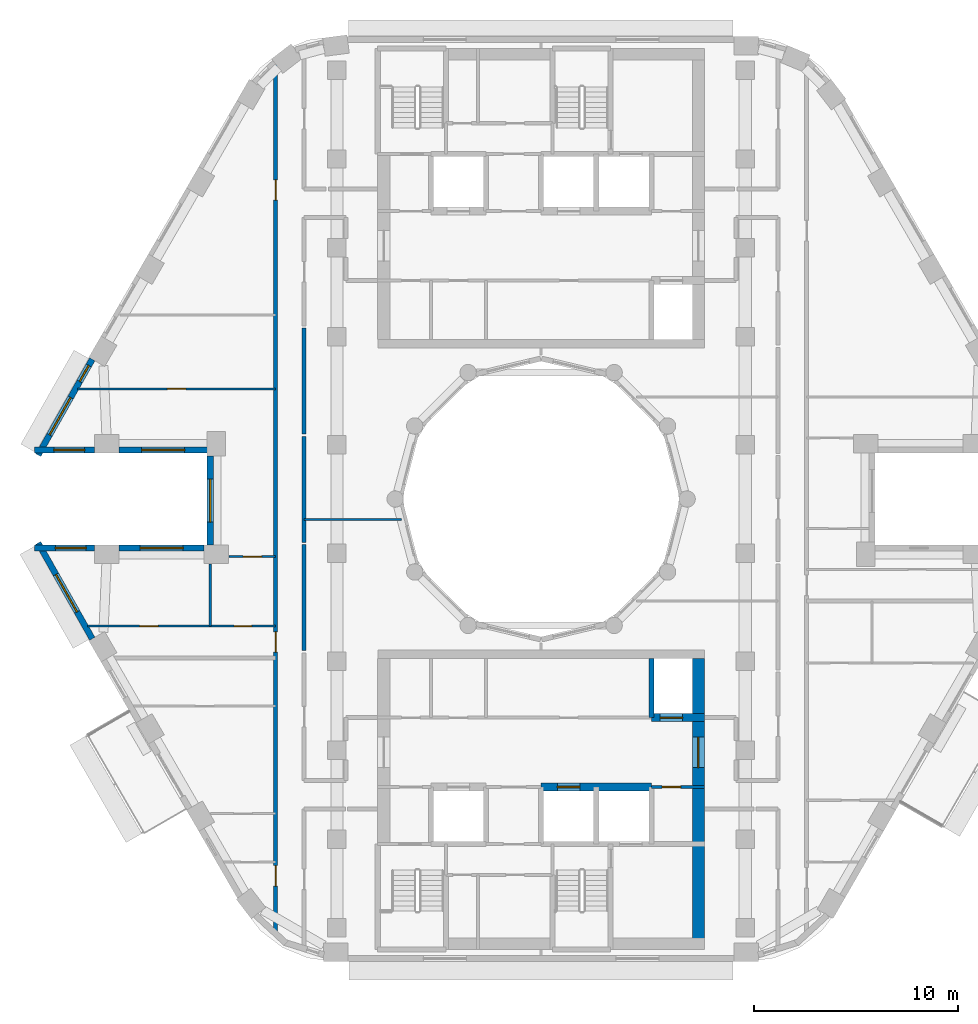
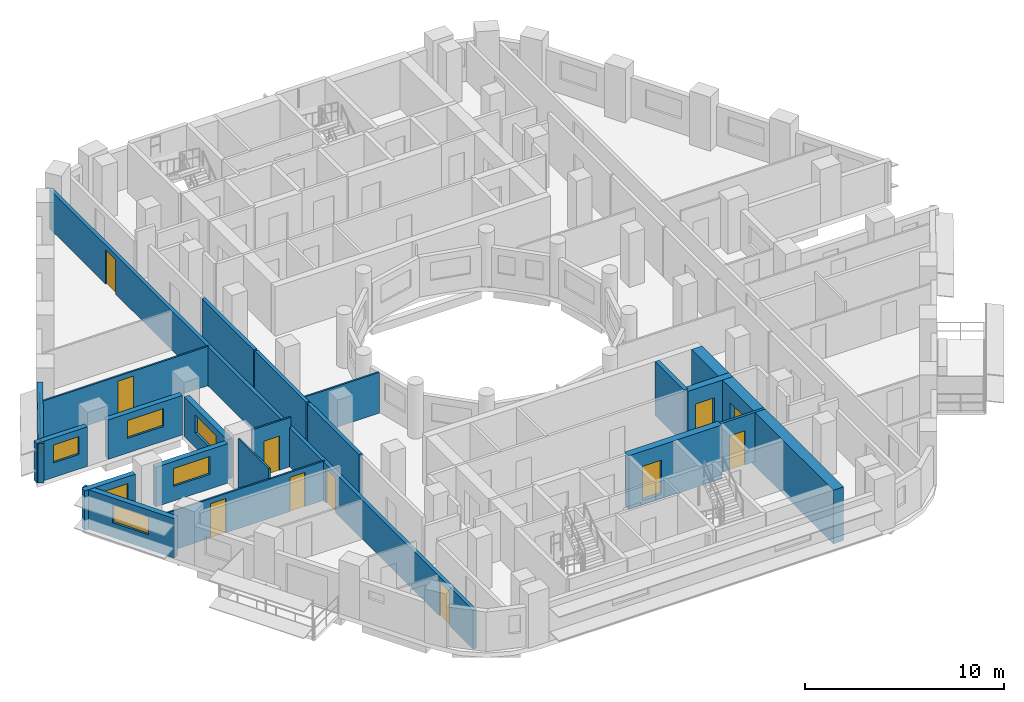
# One storey, part 4 of 15: 21 walls, 11 doors, 8 windows, 19 openings.
"""IFC4 building model written with IfcOpenShell, lengths in metres."""

from ifc_helpers import new_model, si_unit, direction, frame, frame_2d, origin, place, context, subcontext, project, spatial, rectangle, extrude, material, layer, layer_set, type_object, element, fill, save


model = new_model("IFC4")

# Units and contexts
model_context = context("Model", 3, precision=1e-05, world=origin(), true_north=direction((0.0, 1.0)))
body_context = subcontext(model_context, "Body", "Model", "MODEL_VIEW")
ifc_project = project(units=[si_unit("LENGTHUNIT", "METRE"), si_unit("AREAUNIT", "SQUARE_METRE"), si_unit("VOLUMEUNIT", "CUBIC_METRE"), si_unit("PLANEANGLEUNIT", "RADIAN"), si_unit("MASSUNIT", "GRAM", prefix="KILO")], contexts=[model_context])

# Site, building, storey
site_placement = place(None, origin())
site = spatial("IfcSite", under=ifc_project, at=site_placement, CompositionType="ELEMENT")
building_placement = place(site_placement, origin())
building = spatial("IfcBuilding", under=site, at=building_placement, Name="Nakaniwa Court", CompositionType="ELEMENT")
storey_placement = place(building_placement, frame((0.0, 0.0, 189.89990234375)))
storey = spatial("IfcBuildingStorey", under=building, at=storey_placement, Name="L49", CompositionType="ELEMENT", Elevation=189.89990234375)

# Walls
ifc_material_1 = material(Name="Acoustic double stud partition")
ifc_layer_1 = layer(ifc_material_1, 0.199951171875)
ifc_layer_set_1 = layer_set([ifc_layer_1], Name="Acoustic double stud partition")
wall_type_1 = type_object("IfcWallType", Name="Acoustic double stud partition 200", PredefinedType="PARTITIONING", material=ifc_layer_set_1)
for number, where, z_axis, x_axis, name in (
    (1, (68.39990234375, 72.5771484375, 0.0), (0.0, 0.0, 1.0), (0.0, 1.0, 0.0), "Partition PW-097"),
    (2, (68.39990234375, 77.877197265625, 0.0), (0.0, 0.0, 1.0), (0.0, 1.0, 0.0), "Partition PW-098"),
    (3, (68.39990234375, 83.17724609375, 0.0), (0.0, 0.0, 1.0), (0.0, 1.0, 0.0), "Partition PW-099"),
):
    element("IfcWall", number, at=place(storey_placement, frame(where, z_axis=z_axis, x_axis=x_axis)), inside=storey, type_object=wall_type_1, Name=name, PredefinedType="PARTITIONING", context=body_context, shape_type="SweptSolid", body=[
        extrude(rectangle(XDim=5.185546875, YDim=0.199951171875, at=frame_2d((2.5927734375, 0.0))), origin(), (0.0, 0.0, 1.0), 3.025146484375),
    ])

# Wall, openings, doors
wall_1_placement = place(storey_placement, frame((67.0, 58.67431640625, 0.0), z_axis=(0.0, 0.0, 1.0), x_axis=(0.0, 1.0, 0.0)))
wall_1 = element("IfcWall", 4, at=wall_1_placement, inside=storey, type_object=wall_type_1, Name="Partition PW-102", PredefinedType="PARTITIONING", context=body_context, shape_type="SweptSolid", body=[
    extrude(rectangle(XDim=42.591796875, YDim=0.199951171875, at=frame_2d((21.2958984375, 0.0))), origin(), (0.0, 0.0, 1.0), 2.405029296875),
])
opening_1_placement = place(wall_1_placement, frame((2.3759765625, 0.0, 0.0)))
opening_1 = element("IfcOpeningElement", 5, at=opening_1_placement, cuts=wall_1, Name="Opening D-01-03", PredefinedType="OPENING", context=body_context, shape_type="SweptSolid", body=[
    extrude(rectangle(XDim=1.0, YDim=2.10009765625, at=frame_2d((0.5, 1.050048828125))), frame((0.0, 0.10986328125, 0.0), z_axis=(0.0, -1.0, 0.0), x_axis=(1.0, 0.0, 0.0)), (0.0, 0.0, 1.0), 0.219970703125),
])
opening_2_placement = place(wall_1_placement, frame((13.825927734375, 0.0, 0.0)))
opening_2 = element("IfcOpeningElement", 6, at=opening_2_placement, cuts=wall_1, Name="Opening D-01-04", PredefinedType="OPENING", context=body_context, shape_type="SweptSolid", body=[
    extrude(rectangle(XDim=1.0, YDim=2.10009765625, at=frame_2d((0.5, 1.050048828125))), frame((0.0, 0.10986328125, 0.0), z_axis=(0.0, -1.0, 0.0), x_axis=(1.0, 0.0, 0.0)), (0.0, 0.0, 1.0), 0.219970703125),
])
opening_3_placement = place(wall_1_placement, frame((35.95703125, 0.0, 0.0)))
opening_3 = element("IfcOpeningElement", 7, at=opening_3_placement, cuts=wall_1, Name="Opening D-02-10", PredefinedType="OPENING", context=body_context, shape_type="SweptSolid", body=[
    extrude(rectangle(XDim=1.0, YDim=2.10009765625, at=frame_2d((0.5, 1.050048828125))), frame((0.0, 0.10986328125, 0.0), z_axis=(0.0, -1.0, 0.0), x_axis=(1.0, 0.0, 0.0)), (0.0, 0.0, 1.0), 0.219970703125),
])
ifc_material_2 = material(Name="Solid core timber door set, black veneer", Category="wood")
door_type_1 = type_object("IfcDoorType", Name="Flat entrance door 1000", OperationType="NOTDEFINED", PredefinedType="DOOR", material=ifc_material_2)
door_1_placement = place(opening_1_placement, origin())
door_1 = element("IfcDoor", 8, at=door_1_placement, inside=storey, type_object=door_type_1, Name="Door D-01-03 L49-037", OperationType="SINGLE_SWING_RIGHT", OverallHeight=2.10009765625, OverallWidth=1.0, PredefinedType="DOOR", context=body_context, shape_type="SweptSolid", body=[
    extrude(rectangle(XDim=1.0, YDim=2.10009765625, at=frame_2d((0.5, 1.050048828125))), frame((0.0, 0.02490234375, 0.0), z_axis=(0.0, -1.0, 0.0), x_axis=(1.0, 0.0, 0.0)), (0.0, 0.0, 1.0), 0.050048828125),
])
fill(opening_1, door_1)
door_2_placement = place(opening_2_placement, origin())
door_2 = element("IfcDoor", 9, at=door_2_placement, inside=storey, type_object=door_type_1, Name="Door D-01-04 L49-042", OperationType="SINGLE_SWING_LEFT", OverallHeight=2.10009765625, OverallWidth=1.0, PredefinedType="DOOR", context=body_context, shape_type="SweptSolid", body=[
    extrude(rectangle(XDim=1.0, YDim=2.10009765625, at=frame_2d((0.5, 1.050048828125))), frame((0.0, 0.02490234375, 0.0), z_axis=(0.0, -1.0, 0.0), x_axis=(1.0, 0.0, 0.0)), (0.0, 0.0, 1.0), 0.050048828125),
])
fill(opening_2, door_2)
door_type_2 = type_object("IfcDoorType", Name="Internal door 1000", OperationType="NOTDEFINED", PredefinedType="DOOR", material=ifc_material_2)
door_3_placement = place(opening_3_placement, origin())
door_3 = element("IfcDoor", 10, at=door_3_placement, inside=storey, type_object=door_type_2, Name="Door D-02-10 L49-050", OperationType="SINGLE_SWING_LEFT", OverallHeight=2.10009765625, OverallWidth=1.0, PredefinedType="DOOR", context=body_context, shape_type="SweptSolid", body=[
    extrude(rectangle(XDim=1.0, YDim=2.10009765625, at=frame_2d((0.5, 1.050048828125))), frame((0.0, 0.02490234375, 0.0), z_axis=(0.0, -1.0, 0.0), x_axis=(1.0, 0.0, 0.0)), (0.0, 0.0, 1.0), 0.050048828125),
])
fill(opening_3, door_3)

# Wall, openings, windows
ifc_material_3 = material(Name="Charcoal ceramic cladding")
ifc_layer_2 = layer(ifc_material_3, 0.02, Name="Ceramic cladding")
ifc_material_4 = material(Name="Ventilated air cavity")
ifc_layer_3 = layer(ifc_material_4, 0.04, ventilated=True, Name="Ventilated cavity")
ifc_material_5 = material(Name="Mineral wool insulation")
ifc_layer_4 = layer(ifc_material_5, 0.1, Name="Insulation")
ifc_material_6 = material(Name="Cement bonded sheathing board")
ifc_layer_5 = layer(ifc_material_6, 0.012, Name="Sheathing")
ifc_material_7 = material(Name="Cold-formed galvanised stud frame with mineral wool infill")
ifc_layer_6 = layer(ifc_material_7, 0.1, Name="Stud frame")
ifc_material_8 = material(Name="Fire-rated gypsum plasterboard lining")
ifc_layer_7 = layer(ifc_material_8, 0.028, Name="Lining")
ifc_layer_set_2 = layer_set([ifc_layer_2, ifc_layer_3, ifc_layer_4, ifc_layer_5, ifc_layer_6, ifc_layer_7], Name="Charcoal ceramic faced external wall system")
wall_type_2 = type_object("IfcWallType", Name="Black ceramic faced external wall 300", PredefinedType="SOLIDWALL", material=ifc_layer_set_2)
wall_2_placement = place(storey_placement, frame((58.023193359375, 86.843017578125, 0.0), z_axis=(0.0, 0.0, 1.0), x_axis=(-0.492033360928, -0.870576344575, 0.0)))
wall_2 = element("IfcWall", 11, at=wall_2_placement, inside=storey, type_object=wall_type_2, Name="L49 external wall 14", PredefinedType="SOLIDWALL", context=body_context, shape_type="SweptSolid", body=[
    extrude(rectangle(XDim=5.38671875, YDim=0.300048828125, at=frame_2d((2.693359375, 0.0))), origin(), (0.0, 0.0, 1.0), 2.425048828125),
])
opening_4_placement = place(wall_2_placement, frame((0.346923828125, 0.0, 0.89990234375)))
opening_4 = element("IfcOpeningElement", 12, at=opening_4_placement, cuts=wall_2, Name="Opening W9.16", PredefinedType="OPENING", context=body_context, shape_type="SweptSolid", body=[
    extrude(rectangle(XDim=0.89990234375, YDim=1.10009765625, at=frame_2d((0.449951171875, 0.550048828125))), frame((0.0, 0.159912109375, 0.0), z_axis=(0.0, -1.0, 0.0), x_axis=(1.0, 0.0, 0.0)), (0.0, 0.0, 1.0), 0.320068359375),
])
opening_5_placement = place(wall_2_placement, frame((2.15185546875, 0.0, 0.89990234375)))
opening_5 = element("IfcOpeningElement", 13, at=opening_5_placement, cuts=wall_2, Name="Opening W7.17", PredefinedType="OPENING", context=body_context, shape_type="SweptSolid", body=[
    extrude(rectangle(XDim=2.10009765625, YDim=1.10009765625, at=frame_2d((1.050048828125, 0.550048828125))), frame((0.0, 0.159912109375, 0.0), z_axis=(0.0, -1.0, 0.0), x_axis=(1.0, 0.0, 0.0)), (0.0, 0.0, 1.0), 0.320068359375),
])
ifc_material_9 = material(Name="Black anodised aluminium frame with dark low-E laminated double glazing", Category="aluminium")
window_type_1 = type_object("IfcWindowType", Name="Dark glass window 2100x1100 sill 900", PartitioningType="SINGLE_PANEL", PredefinedType="WINDOW", material=ifc_material_9)
window_1_placement = place(opening_5_placement, origin())
window_1 = element("IfcWindow", 14, at=window_1_placement, inside=storey, type_object=window_type_1, Name="L49 living window 14-1", OverallHeight=1.10009765625, OverallWidth=2.10009765625, PartitioningType="SINGLE_PANEL", PredefinedType="WINDOW", context=body_context, shape_type="SweptSolid", body=[
    extrude(rectangle(XDim=2.10009765625, YDim=1.10009765625, at=frame_2d((1.050048828125, 0.550048828125))), frame((0.0, 0.030029296875, 0.0), z_axis=(0.0, -1.0, 0.0), x_axis=(1.0, 0.0, 0.0)), (0.0, 0.0, 1.0), 0.06005859375),
])
fill(opening_5, window_1)
window_type_2 = type_object("IfcWindowType", Name="Dark glass window 900x1100 sill 900", PartitioningType="SINGLE_PANEL", PredefinedType="WINDOW", material=ifc_material_9)
window_2_placement = place(opening_4_placement, origin())
window_2 = element("IfcWindow", 15, at=window_2_placement, inside=storey, type_object=window_type_2, Name="L49 habitable room window 14-0", OverallHeight=1.10009765625, OverallWidth=0.89990234375, PartitioningType="SINGLE_PANEL", PredefinedType="WINDOW", context=body_context, shape_type="SweptSolid", body=[
    extrude(rectangle(XDim=0.89990234375, YDim=1.10009765625, at=frame_2d((0.449951171875, 0.550048828125))), frame((0.0, 0.030029296875, 0.0), z_axis=(0.0, -1.0, 0.0), x_axis=(1.0, 0.0, 0.0)), (0.0, 0.0, 1.0), 0.06005859375),
])
fill(opening_4, window_2)

# Wall, opening, window
wall_3_placement = place(storey_placement, frame((55.2021484375, 82.39990234375, 0.0), z_axis=(0.0, 0.0, 1.0), x_axis=(1.0, 0.0, 0.0)))
wall_3 = element("IfcWall", 16, at=wall_3_placement, inside=storey, type_object=wall_type_2, Name="L49 external wall 15", PredefinedType="SOLIDWALL", context=body_context, shape_type="SweptSolid", body=[
    extrude(rectangle(XDim=2.937744140625, YDim=0.300048828125, at=frame_2d((1.46875, 0.0))), origin(), (0.0, 0.0, 1.0), 2.425048828125),
])
opening_6_placement = place(wall_3_placement, frame((0.944091796875, 0.0, 0.89990234375)))
opening_6 = element("IfcOpeningElement", 17, at=opening_6_placement, cuts=wall_3, Name="Opening W5.18", PredefinedType="OPENING", context=body_context, shape_type="SweptSolid", body=[
    extrude(rectangle(XDim=1.5, YDim=1.10009765625, at=frame_2d((0.75, 0.550048828125))), frame((0.0, 0.159912109375, 0.0), z_axis=(0.0, -1.0, 0.0), x_axis=(1.0, 0.0, 0.0)), (0.0, 0.0, 1.0), 0.320068359375),
])
window_type_3 = type_object("IfcWindowType", Name="Dark glass window 1500x1100 sill 900", PartitioningType="SINGLE_PANEL", PredefinedType="WINDOW", material=ifc_material_9)
window_3_placement = place(opening_6_placement, origin())
window_3 = element("IfcWindow", 18, at=window_3_placement, inside=storey, type_object=window_type_3, Name="L49 living window 15-0", OverallHeight=1.10009765625, OverallWidth=1.5, PartitioningType="SINGLE_PANEL", PredefinedType="WINDOW", context=body_context, shape_type="SweptSolid", body=[
    extrude(rectangle(XDim=1.5, YDim=1.10009765625, at=frame_2d((0.75, 0.550048828125))), frame((0.0, 0.030029296875, 0.0), z_axis=(0.0, -1.0, 0.0), x_axis=(1.0, 0.0, 0.0)), (0.0, 0.0, 1.0), 0.06005859375),
])
fill(opening_6, window_3)

wall_4_placement = place(storey_placement, frame((59.33203125, 82.39990234375, 0.0), z_axis=(0.0, 0.0, 1.0), x_axis=(1.0, 0.0, 0.0)))
wall_4 = element("IfcWall", 19, at=wall_4_placement, inside=storey, type_object=wall_type_2, Name="L49 external wall 16", PredefinedType="SOLIDWALL", context=body_context, shape_type="SweptSolid", body=[
    extrude(rectangle(XDim=4.322509765625, YDim=0.300048828125, at=frame_2d((2.1611328125, 0.0))), origin(), (0.0, 0.0, 1.0), 2.425048828125),
])
opening_7_placement = place(wall_4_placement, frame((1.111083984375, 0.0, 0.89990234375)))
opening_7 = element("IfcOpeningElement", 20, at=opening_7_placement, cuts=wall_4, Name="Opening W7.19", PredefinedType="OPENING", context=body_context, shape_type="SweptSolid", body=[
    extrude(rectangle(XDim=2.10009765625, YDim=1.10009765625, at=frame_2d((1.050048828125, 0.550048828125))), frame((0.0, 0.159912109375, 0.0), z_axis=(0.0, -1.0, 0.0), x_axis=(1.0, 0.0, 0.0)), (0.0, 0.0, 1.0), 0.320068359375),
])
window_4_placement = place(opening_7_placement, origin())
window_4 = element("IfcWindow", 21, at=window_4_placement, inside=storey, type_object=window_type_1, Name="L49 living window 16-0", OverallHeight=1.10009765625, OverallWidth=2.10009765625, PartitioningType="SINGLE_PANEL", PredefinedType="WINDOW", context=body_context, shape_type="SweptSolid", body=[
    extrude(rectangle(XDim=2.10009765625, YDim=1.10009765625, at=frame_2d((1.050048828125, 0.550048828125))), frame((0.0, 0.030029296875, 0.0), z_axis=(0.0, -1.0, 0.0), x_axis=(1.0, 0.0, 0.0)), (0.0, 0.0, 1.0), 0.06005859375),
])
fill(opening_7, window_4)

wall_5_placement = place(storey_placement, frame((63.800537109375, 82.10400390625, 0.0), z_axis=(0.0, 0.0, 1.0), x_axis=(0.0, -1.0, 0.0)))
wall_5 = element("IfcWall", 22, at=wall_5_placement, inside=storey, type_object=wall_type_2, Name="L49 external wall 17", PredefinedType="SOLIDWALL", context=body_context, shape_type="SweptSolid", body=[
    extrude(rectangle(XDim=4.35791015625, YDim=0.300048828125, at=frame_2d((2.178955078125, 0.0))), origin(), (0.0, 0.0, 1.0), 2.425048828125),
])
opening_8_placement = place(wall_5_placement, frame((1.12890625, 0.0, 0.89990234375)))
opening_8 = element("IfcOpeningElement", 23, at=opening_8_placement, cuts=wall_5, Name="Opening W7.20", PredefinedType="OPENING", context=body_context, shape_type="SweptSolid", body=[
    extrude(rectangle(XDim=2.10009765625, YDim=1.10009765625, at=frame_2d((1.050048828125, 0.550048828125))), frame((0.0, 0.159912109375, 0.0), z_axis=(0.0, -1.0, 0.0), x_axis=(1.0, 0.0, 0.0)), (0.0, 0.0, 1.0), 0.320068359375),
])
window_5_placement = place(opening_8_placement, origin())
window_5 = element("IfcWindow", 24, at=window_5_placement, inside=storey, type_object=window_type_1, Name="L49 living window 17-0", OverallHeight=1.10009765625, OverallWidth=2.10009765625, PartitioningType="SINGLE_PANEL", PredefinedType="WINDOW", context=body_context, shape_type="SweptSolid", body=[
    extrude(rectangle(XDim=2.10009765625, YDim=1.10009765625, at=frame_2d((1.050048828125, 0.550048828125))), frame((0.0, 0.030029296875, 0.0), z_axis=(0.0, -1.0, 0.0), x_axis=(1.0, 0.0, 0.0)), (0.0, 0.0, 1.0), 0.06005859375),
])
fill(opening_8, window_5)

wall_6_placement = place(storey_placement, frame((63.50439453125, 77.60009765625, 0.0), z_axis=(0.0, 0.0, 1.0), x_axis=(-1.0, 0.0, 0.0)))
wall_6 = element("IfcWall", 25, at=wall_6_placement, inside=storey, type_object=wall_type_2, Name="L49 external wall 18", PredefinedType="SOLIDWALL", context=body_context, shape_type="SweptSolid", body=[
    extrude(rectangle(XDim=4.17236328125, YDim=0.300048828125, at=frame_2d((2.086181640625, 0.0))), origin(), (0.0, 0.0, 1.0), 2.425048828125),
])
opening_9_placement = place(wall_6_placement, frame((1.036376953125, 0.0, 0.89990234375)))
opening_9 = element("IfcOpeningElement", 26, at=opening_9_placement, cuts=wall_6, Name="Opening W7.21", PredefinedType="OPENING", context=body_context, shape_type="SweptSolid", body=[
    extrude(rectangle(XDim=2.10009765625, YDim=1.10009765625, at=frame_2d((1.050048828125, 0.550048828125))), frame((0.0, 0.159912109375, 0.0), z_axis=(0.0, -1.0, 0.0), x_axis=(1.0, 0.0, 0.0)), (0.0, 0.0, 1.0), 0.320068359375),
])
window_6_placement = place(opening_9_placement, origin())
window_6 = element("IfcWindow", 27, at=window_6_placement, inside=storey, type_object=window_type_1, Name="L49 habitable room window 18-0", OverallHeight=1.10009765625, OverallWidth=2.10009765625, PartitioningType="SINGLE_PANEL", PredefinedType="WINDOW", context=body_context, shape_type="SweptSolid", body=[
    extrude(rectangle(XDim=2.10009765625, YDim=1.10009765625, at=frame_2d((1.050048828125, 0.550048828125))), frame((0.0, 0.030029296875, 0.0), z_axis=(0.0, -1.0, 0.0), x_axis=(1.0, 0.0, 0.0)), (0.0, 0.0, 1.0), 0.06005859375),
])
fill(opening_9, window_6)

wall_7_placement = place(storey_placement, frame((58.139892578125, 77.60009765625, 0.0), z_axis=(0.0, 0.0, 1.0), x_axis=(-1.0, 0.0, 0.0)))
wall_7 = element("IfcWall", 28, at=wall_7_placement, inside=storey, type_object=wall_type_2, Name="L49 external wall 19", PredefinedType="SOLIDWALL", context=body_context, shape_type="SweptSolid", body=[
    extrude(rectangle(XDim=2.937744140625, YDim=0.300048828125, at=frame_2d((1.46875, 0.0))), origin(), (0.0, 0.0, 1.0), 2.425048828125),
])
opening_10_placement = place(wall_7_placement, frame((0.42041015625, 0.0, 0.89990234375)))
opening_10 = element("IfcOpeningElement", 29, at=opening_10_placement, cuts=wall_7, Name="Opening W5.22", PredefinedType="OPENING", context=body_context, shape_type="SweptSolid", body=[
    extrude(rectangle(XDim=1.5, YDim=1.10009765625, at=frame_2d((0.75, 0.550048828125))), frame((0.0, 0.159912109375, 0.0), z_axis=(0.0, -1.0, 0.0), x_axis=(1.0, 0.0, 0.0)), (0.0, 0.0, 1.0), 0.320068359375),
])
window_7_placement = place(opening_10_placement, origin())
window_7 = element("IfcWindow", 30, at=window_7_placement, inside=storey, type_object=window_type_3, Name="L49 habitable room window 19-0", OverallHeight=1.10009765625, OverallWidth=1.5, PartitioningType="SINGLE_PANEL", PredefinedType="WINDOW", context=body_context, shape_type="SweptSolid", body=[
    extrude(rectangle(XDim=1.5, YDim=1.10009765625, at=frame_2d((0.75, 0.550048828125))), frame((0.0, 0.030029296875, 0.0), z_axis=(0.0, -1.0, 0.0), x_axis=(1.0, 0.0, 0.0)), (0.0, 0.0, 1.0), 0.06005859375),
])
fill(opening_10, window_7)

wall_8_placement = place(storey_placement, frame((55.372802734375, 77.846435546875, 0.0), z_axis=(0.0, 0.0, 1.0), x_axis=(0.492033360928, -0.870576344575, 0.0)))
wall_8 = element("IfcWall", 31, at=wall_8_placement, inside=storey, type_object=wall_type_2, Name="L49 external wall 20", PredefinedType="SOLIDWALL", context=body_context, shape_type="SweptSolid", body=[
    extrude(rectangle(XDim=5.38671875, YDim=0.300048828125, at=frame_2d((2.693359375, 0.0))), origin(), (0.0, 0.0, 1.0), 2.425048828125),
])
opening_11_placement = place(wall_8_placement, frame((1.77001953125, 0.0, 0.89990234375)))
opening_11 = element("IfcOpeningElement", 32, at=opening_11_placement, cuts=wall_8, Name="Opening W7.23", PredefinedType="OPENING", context=body_context, shape_type="SweptSolid", body=[
    extrude(rectangle(XDim=2.10009765625, YDim=1.10009765625, at=frame_2d((1.050048828125, 0.550048828125))), frame((0.0, 0.159912109375, 0.0), z_axis=(0.0, -1.0, 0.0), x_axis=(1.0, 0.0, 0.0)), (0.0, 0.0, 1.0), 0.320068359375),
])
window_8_placement = place(opening_11_placement, origin())
window_8 = element("IfcWindow", 33, at=window_8_placement, inside=storey, type_object=window_type_1, Name="L49 habitable room window 20-0", OverallHeight=1.10009765625, OverallWidth=2.10009765625, PartitioningType="SINGLE_PANEL", PredefinedType="WINDOW", context=body_context, shape_type="SweptSolid", body=[
    extrude(rectangle(XDim=2.10009765625, YDim=1.10009765625, at=frame_2d((1.050048828125, 0.550048828125))), frame((0.0, 0.030029296875, 0.0), z_axis=(0.0, -1.0, 0.0), x_axis=(1.0, 0.0, 0.0)), (0.0, 0.0, 1.0), 0.06005859375),
])
fill(opening_11, window_8)

# Wall, opening, door
ifc_material_10 = material(Name="Blockwork partition", Category="masonry")
ifc_layer_8 = layer(ifc_material_10, 0.14990234375)
ifc_layer_set_3 = layer_set([ifc_layer_8], Name="Blockwork partition")
wall_type_3 = type_object("IfcWallType", Name="Blockwork partition 150", PredefinedType="PARTITIONING", material=ifc_layer_set_3)
wall_9_placement = place(storey_placement, frame((88.0, 65.89990234375, 0.0), z_axis=(0.0, 0.0, 1.0), x_axis=(-1.0, 0.0, 0.0)))
wall_9 = element("IfcWall", 34, at=wall_9_placement, inside=storey, type_object=wall_type_3, Name="Partition PW-044", PredefinedType="PARTITIONING", context=body_context, shape_type="SweptSolid", body=[
    extrude(rectangle(XDim=2.60302734375, YDim=0.14990234375, at=frame_2d((1.301513671875, 0.0))), origin(), (0.0, 0.0, 1.0), 3.025146484375),
])
opening_12_placement = place(wall_9_placement, frame((1.175048828125, 0.0, 0.0)))
opening_12 = element("IfcOpeningElement", 35, at=opening_12_placement, cuts=wall_9, Name="Opening D-05-10", PredefinedType="OPENING", context=body_context, shape_type="SweptSolid", body=[
    extrude(rectangle(XDim=0.89990234375, YDim=2.10009765625, at=frame_2d((0.449951171875, 1.050048828125))), frame((0.0, 0.0849609375, 0.0), z_axis=(0.0, -1.0, 0.0), x_axis=(1.0, 0.0, 0.0)), (0.0, 0.0, 1.0), 0.169921875),
])
ifc_material_11 = material(Name="Fire rated steel door set", Category="steel")
door_type_3 = type_object("IfcDoorType", Name="Service room door 900", OperationType="NOTDEFINED", PredefinedType="DOOR", material=ifc_material_11)
door_4_placement = place(opening_12_placement, origin())
door_4 = element("IfcDoor", 36, at=door_4_placement, inside=storey, type_object=door_type_3, Name="Door D-05-10 L49-017", OperationType="SINGLE_SWING_RIGHT", OverallHeight=2.10009765625, OverallWidth=0.89990234375, PredefinedType="DOOR", context=body_context, shape_type="SweptSolid", body=[
    extrude(rectangle(XDim=0.89990234375, YDim=2.10009765625, at=frame_2d((0.449951171875, 1.050048828125))), frame((0.0, 0.02490234375, 0.0), z_axis=(0.0, -1.0, 0.0), x_axis=(1.0, 0.0, 0.0)), (0.0, 0.0, 1.0), 0.050048828125),
])
fill(opening_12, door_4)

ifc_material_12 = material(Name="Concrete C80/100", Category="concrete")
ifc_layer_9 = layer(ifc_material_12, 0.60009765625)
ifc_layer_set_4 = layer_set([ifc_layer_9], Name="Concrete C80/100")
wall_type_4 = type_object("IfcWallType", Name="Concrete core side wall 600 C80", PredefinedType="SHEAR", material=ifc_layer_set_4)
wall_10_placement = place(storey_placement, frame((87.699951171875, 72.199951171875, -0.27490234375), z_axis=(0.0, 0.0, 1.0), x_axis=(0.0, -1.0, 0.0)))
wall_10 = element("IfcWall", 37, at=wall_10_placement, inside=storey, type_object=wall_type_4, Name="Core wall SW-40", PredefinedType="SHEAR", context=body_context, shape_type="SweptSolid", body=[
    extrude(rectangle(XDim=14.25, YDim=0.60009765625, at=frame_2d((7.125, 0.0))), origin(), (0.0, 0.0, 1.0), 3.300048828125),
])
opening_13_placement = place(wall_10_placement, frame((3.85205078125, 0.0, 0.27490234375)))
opening_13 = element("IfcOpeningElement", 38, at=opening_13_placement, cuts=wall_10, Name="Opening D-07-03", PredefinedType="OPENING", context=body_context, shape_type="SweptSolid", body=[
    extrude(rectangle(XDim=1.5, YDim=2.10009765625, at=frame_2d((0.75, 1.050048828125))), frame((0.0, 0.31005859375, 0.0), z_axis=(0.0, -1.0, 0.0), x_axis=(1.0, 0.0, 0.0)), (0.0, 0.0, 1.0), 0.6201171875),
])
ifc_material_13 = material(Name="Glazed fire rated steel double door set", Category="steel")
door_type_4 = type_object("IfcDoorType", Name="Lobby double door 1500", OperationType="NOTDEFINED", PredefinedType="DOOR", material=ifc_material_13)
door_5_placement = place(opening_13_placement, origin())
door_5 = element("IfcDoor", 39, at=door_5_placement, inside=storey, type_object=door_type_4, Name="Door D-07-03 L49-054", OperationType="DOUBLE_DOOR_SINGLE_SWING", OverallHeight=2.10009765625, OverallWidth=1.5, PredefinedType="DOOR", context=body_context, shape_type="SweptSolid", body=[
    extrude(rectangle(XDim=1.5, YDim=2.10009765625, at=frame_2d((0.75, 1.050048828125))), frame((0.0, 0.02490234375, 0.0), z_axis=(0.0, -1.0, 0.0), x_axis=(1.0, 0.0, 0.0)), (0.0, 0.0, 1.0), 0.050048828125),
])
fill(opening_13, door_5)

ifc_layer_10 = layer(ifc_material_12, 0.39990234375)
ifc_layer_set_5 = layer_set([ifc_layer_10], Name="Concrete C80/100")
wall_type_5 = type_object("IfcWallType", Name="Concrete core spine wall 400 C80", PredefinedType="SHEAR", material=ifc_layer_set_5)
wall_11_placement = place(storey_placement, frame((85.39990234375, 69.300048828125, -0.27490234375), z_axis=(0.0, 0.0, 1.0), x_axis=(1.0, 0.0, 0.0)))
wall_11 = element("IfcWall", 40, at=wall_11_placement, inside=storey, type_object=wall_type_5, Name="Core wall SW-39", PredefinedType="SHEAR", context=body_context, shape_type="SweptSolid", body=[
    extrude(rectangle(XDim=2.60009765625, YDim=0.39990234375, at=frame_2d((1.300048828125, 0.0))), origin(), (0.0, 0.0, 1.0), 3.300048828125),
])
opening_14_placement = place(wall_11_placement, frame((0.425048828125, 0.0, 0.27490234375)))
opening_14 = element("IfcOpeningElement", 41, at=opening_14_placement, cuts=wall_11, Name="Opening LD05", PredefinedType="OPENING", context=body_context, shape_type="SweptSolid", body=[
    extrude(rectangle(XDim=1.10009765625, YDim=2.10009765625, at=frame_2d((0.550048828125, 1.050048828125))), frame((0.0, 0.2099609375, 0.0), z_axis=(0.0, -1.0, 0.0), x_axis=(1.0, 0.0, 0.0)), (0.0, 0.0, 1.0), 0.419921875),
])
ifc_material_14 = material(Name="Stainless steel sliding lift landing door", Category="steel")
door_type_5 = type_object("IfcDoorType", Name="Lift landing door 1100", OperationType="NOTDEFINED", PredefinedType="DOOR", material=ifc_material_14)
door_6_placement = place(opening_14_placement, origin())
door_6 = element("IfcDoor", 42, at=door_6_placement, inside=storey, type_object=door_type_5, Name="Lift landing door LD05 L49-005", OperationType="SLIDING_TO_LEFT", OverallHeight=2.10009765625, OverallWidth=1.10009765625, PredefinedType="DOOR", context=body_context, shape_type="SweptSolid", body=[
    extrude(rectangle(XDim=1.10009765625, YDim=2.10009765625, at=frame_2d((0.550048828125, 1.050048828125))), frame((0.0, 0.02490234375, 0.0), z_axis=(0.0, -1.0, 0.0), x_axis=(1.0, 0.0, 0.0)), (0.0, 0.0, 1.0), 0.050048828125),
])
fill(opening_14, door_6)

wall_12_placement = place(storey_placement, frame((79.9970703125, 65.89990234375, -0.27490234375), z_axis=(0.0, 0.0, 1.0), x_axis=(1.0, 0.0, 0.0)))
wall_12 = element("IfcWall", 43, at=wall_12_placement, inside=storey, type_object=wall_type_5, Name="Core wall SW-46", PredefinedType="SHEAR", context=body_context, shape_type="SweptSolid", body=[
    extrude(rectangle(XDim=5.406005859375, YDim=0.39990234375, at=frame_2d((2.703125, 0.0))), origin(), (0.0, 0.0, 1.0), 3.300048828125),
])
opening_15_placement = place(wall_12_placement, frame((0.802978515625, 0.0, 0.27490234375)))
opening_15 = element("IfcOpeningElement", 44, at=opening_15_placement, cuts=wall_12, Name="Opening LD07", PredefinedType="OPENING", context=body_context, shape_type="SweptSolid", body=[
    extrude(rectangle(XDim=1.10009765625, YDim=2.10009765625, at=frame_2d((0.550048828125, 1.050048828125))), frame((0.0, 0.2099609375, 0.0), z_axis=(0.0, -1.0, 0.0), x_axis=(1.0, 0.0, 0.0)), (0.0, 0.0, 1.0), 0.419921875),
])
door_7_placement = place(opening_15_placement, origin())
door_7 = element("IfcDoor", 45, at=door_7_placement, inside=storey, type_object=door_type_5, Name="Lift landing door LD07 L49-007", OperationType="SLIDING_TO_LEFT", OverallHeight=2.10009765625, OverallWidth=1.10009765625, PredefinedType="DOOR", context=body_context, shape_type="SweptSolid", body=[
    extrude(rectangle(XDim=1.10009765625, YDim=2.10009765625, at=frame_2d((0.550048828125, 1.050048828125))), frame((0.0, 0.02490234375, 0.0), z_axis=(0.0, -1.0, 0.0), x_axis=(1.0, 0.0, 0.0)), (0.0, 0.0, 1.0), 0.050048828125),
])
fill(opening_15, door_7)

# Walls
ifc_layer_11 = layer(ifc_material_12, 0.25)
ifc_layer_set_6 = layer_set([ifc_layer_11], Name="Concrete C80/100")
wall_type_6 = type_object("IfcWallType", Name="Concrete shaft wall 250 C80", PredefinedType="SHEAR", material=ifc_layer_set_6)
wall_13_placement = place(storey_placement, frame((85.39990234375, 69.300048828125, -0.27490234375), z_axis=(0.0, 0.0, 1.0), x_axis=(0.0, 1.0, 0.0)))
element("IfcWall", 46, at=wall_13_placement, inside=storey, type_object=wall_type_6, Name="Core wall SW-38", PredefinedType="SHEAR", context=body_context, shape_type="SweptSolid", body=[
    extrude(rectangle(XDim=2.89990234375, YDim=0.25, at=frame_2d((1.449951171875, 0.0))), origin(), (0.0, 0.0, 1.0), 3.300048828125),
])
ifc_material_15 = material(Name="Single stud plasterboard partition")
ifc_layer_12 = layer(ifc_material_15, 0.10009765625)
ifc_layer_set_7 = layer_set([ifc_layer_12], Name="Single stud plasterboard partition")
wall_type_7 = type_object("IfcWallType", Name="Single stud plasterboard partition 100", PredefinedType="PARTITIONING", material=ifc_layer_set_7)
wall_14_placement = place(storey_placement, frame((68.40087890625, 79.0, 0.0), z_axis=(0.0, 0.0, 1.0), x_axis=(1.0, 0.0, 0.0)))
element("IfcWall", 47, at=wall_14_placement, inside=storey, type_object=wall_type_7, Name="Partition PW-126", PredefinedType="PARTITIONING", context=body_context, shape_type="SweptSolid", body=[
    extrude(rectangle(XDim=4.765869140625, YDim=0.10009765625, at=frame_2d((2.3828125, 0.0))), origin(), (0.0, 0.0, 1.0), 2.505126953125),
])

# Wall, openings, doors
wall_15_placement = place(storey_placement, frame((57.786376953125, 73.77490234375, 0.0), z_axis=(0.0, 0.0, 1.0), x_axis=(1.0, 0.0, 0.0)))
wall_15 = element("IfcWall", 48, at=wall_15_placement, inside=storey, type_object=wall_type_7, Name="Partition PW-127", PredefinedType="PARTITIONING", context=body_context, shape_type="SweptSolid", body=[
    extrude(rectangle(XDim=9.212646484375, YDim=0.10009765625, at=frame_2d((4.6064453125, 0.0))), origin(), (0.0, 0.0, 1.0), 2.405029296875),
])
opening_16_placement = place(wall_15_placement, frame((7.18798828125, 0.0, 0.0)))
opening_16 = element("IfcOpeningElement", 49, at=opening_16_placement, cuts=wall_15, Name="Opening D-03-04", PredefinedType="OPENING", context=body_context, shape_type="SweptSolid", body=[
    extrude(rectangle(XDim=0.85009765625, YDim=2.10009765625, at=frame_2d((0.425048828125, 1.050048828125))), frame((0.0, 0.06005859375, 0.0), z_axis=(0.0, -1.0, 0.0), x_axis=(1.0, 0.0, 0.0)), (0.0, 0.0, 1.0), 0.1201171875),
])
opening_17_placement = place(wall_15_placement, frame((2.555908203125, 0.0, 0.0)))
opening_17 = element("IfcOpeningElement", 50, at=opening_17_placement, cuts=wall_15, Name="Opening D-33-08", PredefinedType="OPENING", context=body_context, shape_type="SweptSolid", body=[
    extrude(rectangle(XDim=0.89990234375, YDim=2.10009765625, at=frame_2d((0.449951171875, 1.050048828125))), frame((0.0, 0.06005859375, 0.0), z_axis=(0.0, -1.0, 0.0), x_axis=(1.0, 0.0, 0.0)), (0.0, 0.0, 1.0), 0.1201171875),
])
ifc_material_16 = material(Name="Moisture sealed timber door set", Category="wood")
door_type_6 = type_object("IfcDoorType", Name="Bathroom door 850", OperationType="NOTDEFINED", PredefinedType="DOOR", material=ifc_material_16)
door_8_placement = place(opening_16_placement, origin())
door_8 = element("IfcDoor", 51, at=door_8_placement, inside=storey, type_object=door_type_6, Name="Door D-03-04 L49-043", OperationType="SINGLE_SWING_RIGHT", OverallHeight=2.10009765625, OverallWidth=0.85009765625, PredefinedType="DOOR", context=body_context, shape_type="SweptSolid", body=[
    extrude(rectangle(XDim=0.85009765625, YDim=2.10009765625, at=frame_2d((0.425048828125, 1.050048828125))), frame((0.0, 0.02490234375, 0.0), z_axis=(0.0, -1.0, 0.0), x_axis=(1.0, 0.0, 0.0)), (0.0, 0.0, 1.0), 0.050048828125),
])
fill(opening_16, door_8)
door_type_7 = type_object("IfcDoorType", Name="Internal door 900", OperationType="NOTDEFINED", PredefinedType="DOOR", material=ifc_material_2)
door_9_placement = place(opening_17_placement, origin())
door_9 = element("IfcDoor", 52, at=door_9_placement, inside=storey, type_object=door_type_7, Name="Door D-33-08 L49-044", OperationType="SINGLE_SWING_LEFT", OverallHeight=2.10009765625, OverallWidth=0.89990234375, PredefinedType="DOOR", context=body_context, shape_type="SweptSolid", body=[
    extrude(rectangle(XDim=0.89990234375, YDim=2.10009765625, at=frame_2d((0.449951171875, 1.050048828125))), frame((0.0, 0.02490234375, 0.0), z_axis=(0.0, -1.0, 0.0), x_axis=(1.0, 0.0, 0.0)), (0.0, 0.0, 1.0), 0.050048828125),
])
fill(opening_17, door_9)

# Wall
wall_16_placement = place(storey_placement, frame((63.799072265625, 73.77490234375, 0.0), z_axis=(0.0, 0.0, 1.0), x_axis=(0.0, 1.0, 0.0)))
element("IfcWall", 53, at=wall_16_placement, inside=storey, type_object=wall_type_7, Name="Partition PW-128", PredefinedType="PARTITIONING", context=body_context, shape_type="SweptSolid", body=[
    extrude(rectangle(XDim=3.05517578125, YDim=0.10009765625, at=frame_2d((1.527587890625, 0.0))), origin(), (0.0, 0.0, 1.0), 3.025146484375),
])

# Wall, opening, door
wall_17_placement = place(storey_placement, frame((64.720458984375, 77.175048828125, 0.0), z_axis=(0.0, 0.0, 1.0), x_axis=(1.0, 0.0, 0.0)))
wall_17 = element("IfcWall", 54, at=wall_17_placement, inside=storey, type_object=wall_type_7, Name="Partition PW-129", PredefinedType="PARTITIONING", context=body_context, shape_type="SweptSolid", body=[
    extrude(rectangle(XDim=2.278564453125, YDim=0.10009765625, at=frame_2d((1.13916015625, 0.0))), origin(), (0.0, 0.0, 1.0), 3.025146484375),
])
opening_18_placement = place(wall_17_placement, frame((0.68896484375, 0.0, 0.0)))
opening_18 = element("IfcOpeningElement", 55, at=opening_18_placement, cuts=wall_17, Name="Opening D-33-09", PredefinedType="OPENING", context=body_context, shape_type="SweptSolid", body=[
    extrude(rectangle(XDim=0.89990234375, YDim=2.10009765625, at=frame_2d((0.449951171875, 1.050048828125))), frame((0.0, 0.06005859375, 0.0), z_axis=(0.0, -1.0, 0.0), x_axis=(1.0, 0.0, 0.0)), (0.0, 0.0, 1.0), 0.1201171875),
])
door_10_placement = place(opening_18_placement, origin())
door_10 = element("IfcDoor", 56, at=door_10_placement, inside=storey, type_object=door_type_7, Name="Door D-33-09 L49-045", OperationType="SINGLE_SWING_RIGHT", OverallHeight=2.10009765625, OverallWidth=0.89990234375, PredefinedType="DOOR", context=body_context, shape_type="SweptSolid", body=[
    extrude(rectangle(XDim=0.89990234375, YDim=2.10009765625, at=frame_2d((0.449951171875, 1.050048828125))), frame((0.0, 0.02490234375, 0.0), z_axis=(0.0, -1.0, 0.0), x_axis=(1.0, 0.0, 0.0)), (0.0, 0.0, 1.0), 0.050048828125),
])
fill(opening_18, door_10)

wall_18_placement = place(storey_placement, frame((57.306640625, 85.39404296875, 0.0), z_axis=(0.0, 0.0, 1.0), x_axis=(1.0, 0.0, 0.0)))
wall_18 = element("IfcWall", 57, at=wall_18_placement, inside=storey, type_object=wall_type_7, Name="Partition PW-130", PredefinedType="PARTITIONING", context=body_context, shape_type="SweptSolid", body=[
    extrude(rectangle(XDim=9.6923828125, YDim=0.10009765625, at=frame_2d((4.84619140625, 0.0))), origin(), (0.0, 0.0, 1.0), 2.405029296875),
])
opening_19_placement = place(wall_18_placement, frame((4.39599609375, 0.0, 0.0)))
opening_19 = element("IfcOpeningElement", 58, at=opening_19_placement, cuts=wall_18, Name="Opening D-33-10", PredefinedType="OPENING", context=body_context, shape_type="SweptSolid", body=[
    extrude(rectangle(XDim=0.89990234375, YDim=2.10009765625, at=frame_2d((0.449951171875, 1.050048828125))), frame((0.0, 0.06005859375, 0.0), z_axis=(0.0, -1.0, 0.0), x_axis=(1.0, 0.0, 0.0)), (0.0, 0.0, 1.0), 0.1201171875),
])
door_11_placement = place(opening_19_placement, origin())
door_11 = element("IfcDoor", 59, at=door_11_placement, inside=storey, type_object=door_type_7, Name="Door D-33-10 L49-046", OperationType="SINGLE_SWING_LEFT", OverallHeight=2.10009765625, OverallWidth=0.89990234375, PredefinedType="DOOR", context=body_context, shape_type="SweptSolid", body=[
    extrude(rectangle(XDim=0.89990234375, YDim=2.10009765625, at=frame_2d((0.449951171875, 1.050048828125))), frame((0.0, 0.02490234375, 0.0), z_axis=(0.0, -1.0, 0.0), x_axis=(1.0, 0.0, 0.0)), (0.0, 0.0, 1.0), 0.050048828125),
])
fill(opening_19, door_11)

save(model, "model.ifc")
